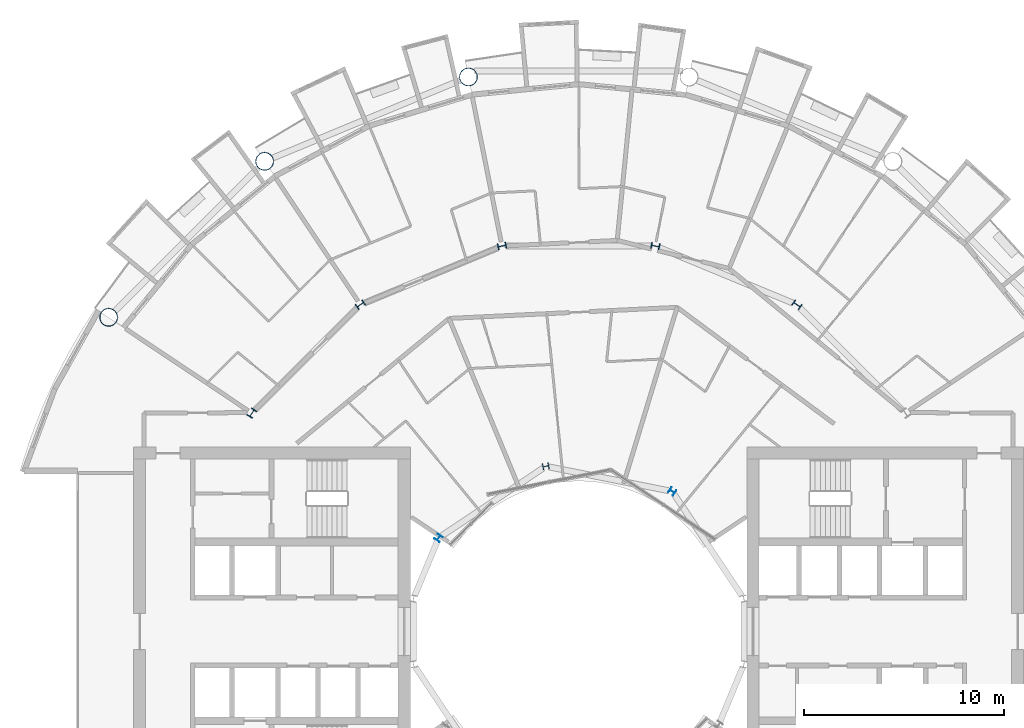
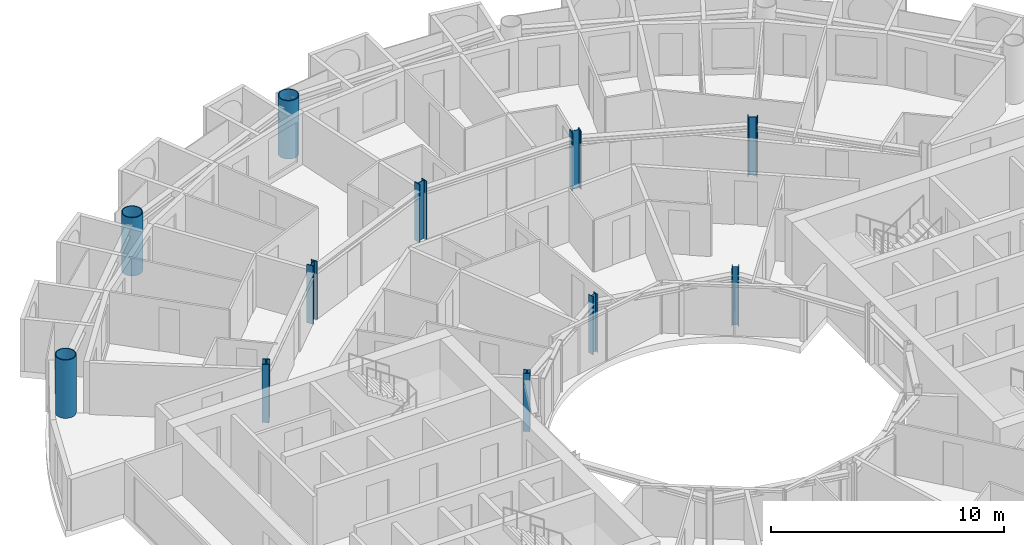
# One storey, part 3 of 27: 11 columns.
"""IFC4 building model written with IfcOpenShell, lengths in metres."""

from ifc_helpers import new_model, si_unit, direction, frame, origin, origin_2d, place, context, subcontext, project, spatial, hollow_circle, i_section, extrude, material, material_profile, profile_set, type_object, element, save


model = new_model("IFC4")

# Units and contexts
model_context = context("Model", 3, precision=1e-05, world=origin(), true_north=direction((0.0, 1.0)))
body_context = subcontext(model_context, "Body", "Model", "MODEL_VIEW")
ifc_project = project(units=[si_unit("LENGTHUNIT", "METRE"), si_unit("AREAUNIT", "SQUARE_METRE"), si_unit("VOLUMEUNIT", "CUBIC_METRE"), si_unit("PLANEANGLEUNIT", "RADIAN"), si_unit("MASSUNIT", "GRAM", prefix="KILO")], contexts=[model_context])

# Site, building, storey
site_placement = place(None, origin())
site = spatial("IfcSite", under=ifc_project, at=site_placement, CompositionType="ELEMENT")
building_placement = place(site_placement, origin())
building = spatial("IfcBuilding", under=site, at=building_placement, Name="Maasbend Ring Residences", CompositionType="ELEMENT")
storey_placement = place(building_placement, frame((0.0, 0.0, 114.699951171875)))
storey = spatial("IfcBuildingStorey", under=building, at=storey_placement, Name="L32", CompositionType="ELEMENT", Elevation=114.699951171875)

# Columns
ifc_material_1 = material(Name="Composite concrete-filled steel tube S460NH / C80/95", Category="concrete")
ifc_material_profile_1 = material_profile(ifc_material_1, hollow_circle(Radius=0.45703125, WallThickness=0.0400390625, at=origin_2d()), Name="Composite tube column CHS 914x40")
ifc_profile_set_1 = profile_set([ifc_material_profile_1], Name="Composite concrete-filled steel tube S460NH / C80/95")
column_type_1 = type_object("IfcColumnType", Name="Composite tube column CHS 914x40", PredefinedType="COLUMN", material=ifc_profile_set_1)
for number, where, z_axis, x_axis, name in (
    (1, (-5.50146484375, 27.658203125, 0.0), (0.0, 0.0, 1.0), (1.0, 0.0, 0.0), "Outer column R5"),
    (2, (-15.6669921875, 23.447509765625, 0.0), (0.0, 0.0, 1.0), (1.0, 0.0, 0.0), "Outer column R6"),
    (3, (-23.447509765625, 15.6669921875, 0.0), (0.0, 0.0, 1.0), (1.0, 0.0, 0.0), "Outer column R7"),
):
    element("IfcColumn", number, at=place(storey_placement, frame(where, z_axis=z_axis, x_axis=x_axis)), inside=storey, type_object=column_type_1, Name=name, PredefinedType="COLUMN", context=body_context, shape_type="SweptSolid", body=[
        extrude(hollow_circle(Radius=0.45703125, WallThickness=0.0400390625, at=origin_2d()), origin(), (0.0, 0.0, 1.0), 3.050048828125),
    ])
ifc_material_2 = material(Name="Steel S355J2", Category="steel")
ifc_material_profile_2 = material_profile(ifc_material_2, i_section(OverallWidth=0.300048828125, OverallDepth=0.300048828125, WebThickness=0.010986328125, FlangeThickness=0.01904296875, FilletRadius=0.027099609375, at=origin_2d()), Name="HEB 300")
ifc_profile_set_2 = profile_set([ifc_material_profile_2], Name="Steel S355J2")
column_type_2 = type_object("IfcColumnType", Name="Steel column HEB 300", PredefinedType="COLUMN", material=ifc_profile_set_2)
for number, where, z_axis, x_axis, name in (
    (4, (4.666748046875, 6.984375, 0.0), (0.0, 0.0, 1.0), (0.55557023302, 0.831469612303, 0.0), "Well ring column R3"),
    (5, (-1.638916015625, 8.238525390625, 0.0), (0.0, 0.0, 1.0), (-0.195090322016, 0.980785280403, 0.0), "Well ring column R5"),
    (6, (-6.984375, 4.666748046875, 0.0), (0.0, 0.0, 1.0), (-0.831469612303, 0.55557023302, 0.0), "Well ring column R7"),
):
    element("IfcColumn", number, at=place(storey_placement, frame(where, z_axis=z_axis, x_axis=x_axis)), inside=storey, type_object=column_type_2, Name=name, PredefinedType="COLUMN", context=body_context, shape_type="SweptSolid", body=[
        extrude(i_section(OverallWidth=0.300048828125, OverallDepth=0.300048828125, WebThickness=0.010986328125, FlangeThickness=0.01904296875, FilletRadius=0.027099609375, at=origin_2d()), origin(), (0.0, 0.0, 1.0), 3.050048828125),
    ])
ifc_material_3 = material(Name="Steel S460M", Category="steel")
ifc_material_profile_3 = material_profile(ifc_material_3, i_section(OverallWidth=0.306884765625, OverallDepth=0.431884765625, WebThickness=0.02099609375, FlangeThickness=0.0400390625, FilletRadius=0.027099609375, at=origin_2d()), Name="HEM 400")
ifc_profile_set_3 = profile_set([ifc_material_profile_3], Name="Steel S460M")
column_type_3 = type_object("IfcColumnType", Name="Steel column HEM 400", PredefinedType="COLUMN", material=ifc_profile_set_3)
for number, where, z_axis, x_axis, name in (
    (7, (10.88916015625, 16.296875, 0.0), (0.0, 0.0, 1.0), (0.55557023302, 0.831469612303, 0.0), "Corridor ring column R3"),
    (8, (3.82373046875, 19.223388671875, 0.0), (0.0, 0.0, 1.0), (0.195090322016, 0.980785280403, 0.0), "Corridor ring column R4"),
    (9, (-3.82373046875, 19.223388671875, 0.0), (0.0, 0.0, 1.0), (-0.195090322016, 0.980785280403, 0.0), "Corridor ring column R5"),
    (10, (-10.88916015625, 16.296875, 0.0), (0.0, 0.0, 1.0), (-0.55557023302, 0.831469612303, 0.0), "Corridor ring column R6"),
    (11, (-16.296875, 10.88916015625, 0.0), (0.0, 0.0, 1.0), (-0.831469612303, 0.55557023302, 0.0), "Corridor ring column R7"),
):
    element("IfcColumn", number, at=place(storey_placement, frame(where, z_axis=z_axis, x_axis=x_axis)), inside=storey, type_object=column_type_3, Name=name, PredefinedType="COLUMN", context=body_context, shape_type="SweptSolid", body=[
        extrude(i_section(OverallWidth=0.306884765625, OverallDepth=0.431884765625, WebThickness=0.02099609375, FlangeThickness=0.0400390625, FilletRadius=0.027099609375, at=origin_2d()), origin(), (0.0, 0.0, 1.0), 3.050048828125),
    ])

save(model, "model.ifc")
